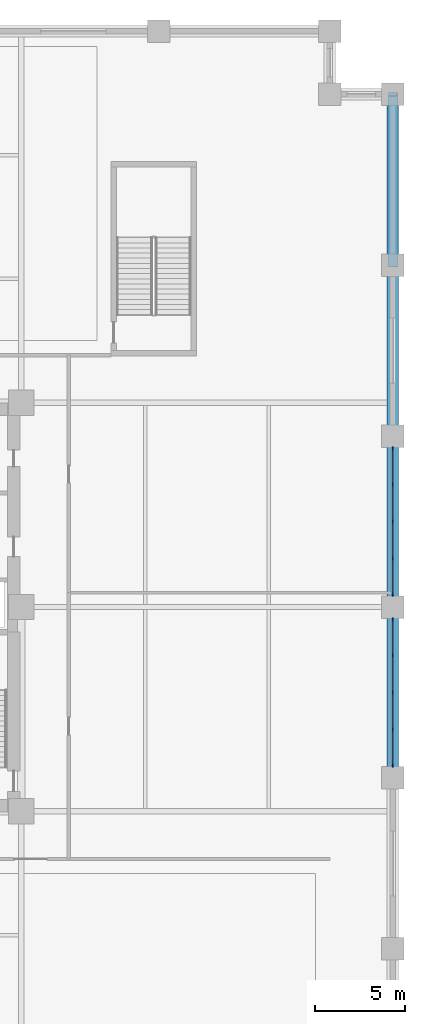
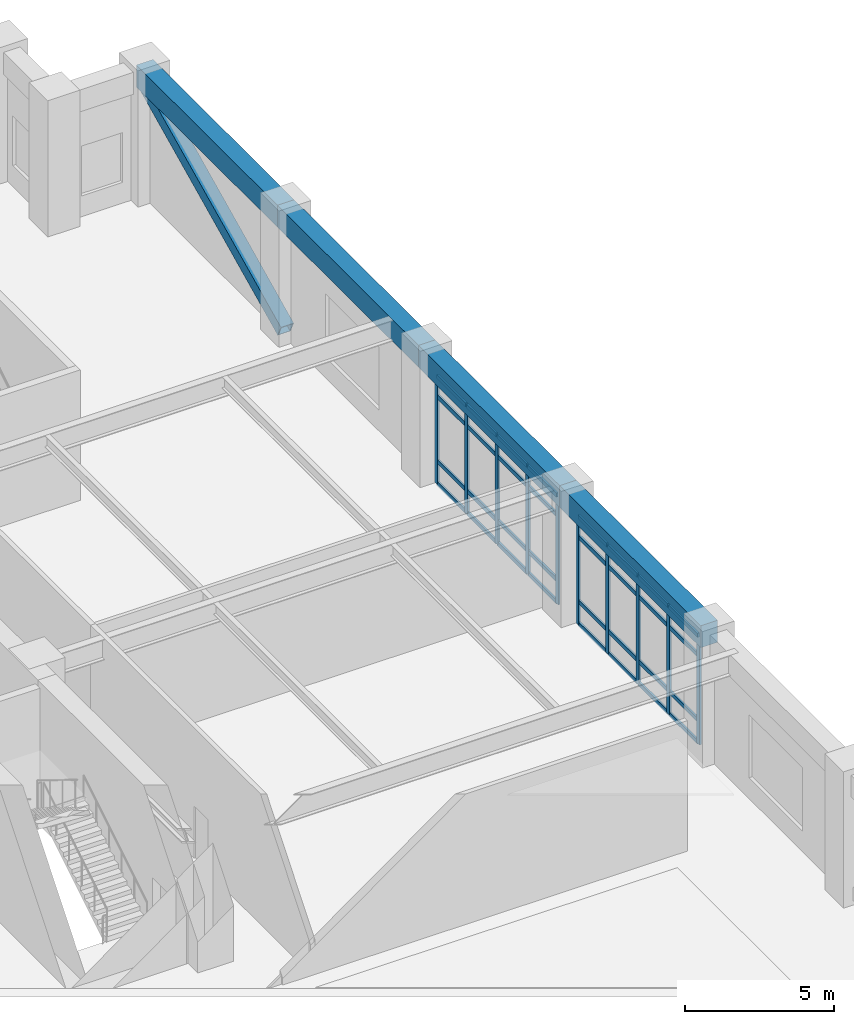
# One storey, part 8 of 21: 43 members, 4 beams, 2 elements without a shape of their own.
"""IFC4 building model written with IfcOpenShell, lengths in metres."""

from ifc_helpers import new_model, si_unit, direction, frame, origin, origin_2d, place, context, subcontext, project, spatial, rectangle, hollow_rectangle, extrude, material, layer, layer_set, material_profile, profile_set, type_object, element, aggregate, save


model = new_model("IFC4")

# Units and contexts
model_context = context("Model", 3, precision=1e-05, world=origin(), true_north=direction((0.0, 1.0)))
body_context = subcontext(model_context, "Body", "Model", "MODEL_VIEW")
ifc_project = project(units=[si_unit("LENGTHUNIT", "METRE"), si_unit("AREAUNIT", "SQUARE_METRE"), si_unit("VOLUMEUNIT", "CUBIC_METRE"), si_unit("PLANEANGLEUNIT", "RADIAN"), si_unit("MASSUNIT", "GRAM", prefix="KILO")], contexts=[model_context])

# Site, building, storey
site_placement = place(None, origin())
site = spatial("IfcSite", under=ifc_project, at=site_placement, CompositionType="ELEMENT")
building_placement = place(site_placement, origin())
building = spatial("IfcBuilding", under=site, at=building_placement, Name="Nhamokura Convention Tower", CompositionType="ELEMENT")
storey_placement = place(building_placement, frame((0.0, 0.0, 12.25)))
storey = spatial("IfcBuildingStorey", under=building, at=storey_placement, Name="L02", CompositionType="ELEMENT", Elevation=12.25)

# Curtain wall, members
ifc_material_1 = material(Name="Anodised bronze aluminium AA6063-T6", Category="aluminium")
ifc_layer = layer(ifc_material_1, 0.199951171875)
ifc_layer_set = layer_set([ifc_layer], Name="CWSystem_ConventionFoyer")
curtain_wall_type = type_object("IfcCurtainWallType", Name="CWSystem_ConventionFoyer", PredefinedType="NOTDEFINED", material=ifc_layer_set)
curtain_wall_1_placement = place(storey_placement, origin())
curtain_wall_1 = element("IfcCurtainWall", 1, at=curtain_wall_1_placement, inside=storey, type_object=curtain_wall_type, Name="L02 Curtain Wall ENV-L02-CW-E2", PredefinedType="NOTDEFINED")
ifc_material_2 = material(Name="Anodised bronze aluminium AA6063-T6", Category="aluminium")
ifc_material_profile_1 = material_profile(ifc_material_2, rectangle(XDim=0.074951171875, YDim=0.199951171875, at=origin_2d()))
ifc_profile_set_1 = profile_set([ifc_material_profile_1], Name="Anodised bronze aluminium AA6063-T6")
member_type_1 = type_object("IfcMemberType", Name="CWMullion_2", PredefinedType="MULLION", material=ifc_profile_set_1)
member_1_placement = place(storey_placement, frame((64.0, 31.3125, 0.0), z_axis=(0.0, 0.0, 1.0), x_axis=(1.0, 0.0, 0.0)))
member_1 = element("IfcMember", 2, at=member_1_placement, type_object=member_type_1, Name="CW-02 mullion 1", PredefinedType="MULLION", context=body_context, shape_type="SweptSolid", body=[
    extrude(rectangle(XDim=0.074951171875, YDim=0.199951171875, at=origin_2d()), origin(), (0.0, 0.0, 1.0), 4.4599609375),
])
member_2_placement = place(storey_placement, frame((64.0, 29.300048828125, 0.0), z_axis=(0.0, 0.0, 1.0), x_axis=(1.0, 0.0, 0.0)))
member_2 = element("IfcMember", 3, at=member_2_placement, type_object=member_type_1, Name="CW-02 mullion 2", PredefinedType="MULLION", context=body_context, shape_type="SweptSolid", body=[
    extrude(rectangle(XDim=0.074951171875, YDim=0.199951171875, at=origin_2d()), origin(), (0.0, 0.0, 1.0), 4.4599609375),
])
member_3_placement = place(storey_placement, frame((64.0, 27.25, 0.0), z_axis=(0.0, 0.0, 1.0), x_axis=(1.0, 0.0, 0.0)))
member_3 = element("IfcMember", 4, at=member_3_placement, type_object=member_type_1, Name="CW-02 mullion 3", PredefinedType="MULLION", context=body_context, shape_type="SweptSolid", body=[
    extrude(rectangle(XDim=0.074951171875, YDim=0.199951171875, at=origin_2d()), origin(), (0.0, 0.0, 1.0), 4.4599609375),
])
member_4_placement = place(storey_placement, frame((64.0, 25.199951171875, 0.0), z_axis=(0.0, 0.0, 1.0), x_axis=(1.0, 0.0, 0.0)))
member_4 = element("IfcMember", 5, at=member_4_placement, type_object=member_type_1, Name="CW-02 mullion 4", PredefinedType="MULLION", context=body_context, shape_type="SweptSolid", body=[
    extrude(rectangle(XDim=0.074951171875, YDim=0.199951171875, at=origin_2d()), origin(), (0.0, 0.0, 1.0), 4.4599609375),
])
member_5_placement = place(storey_placement, frame((64.0, 23.1875, 0.0), z_axis=(0.0, 0.0, 1.0), x_axis=(1.0, 0.0, 0.0)))
member_5 = element("IfcMember", 6, at=member_5_placement, type_object=member_type_1, Name="CW-02 mullion 5", PredefinedType="MULLION", context=body_context, shape_type="SweptSolid", body=[
    extrude(rectangle(XDim=0.074951171875, YDim=0.199951171875, at=origin_2d()), origin(), (0.0, 0.0, 1.0), 4.4599609375),
])

curtain_wall_2_placement = place(storey_placement, origin())
curtain_wall_2 = element("IfcCurtainWall", 7, at=curtain_wall_2_placement, inside=storey, type_object=curtain_wall_type, Name="L02 Curtain Wall ENV-L02-CW-E3", PredefinedType="NOTDEFINED")
member_6_placement = place(storey_placement, frame((64.0, 40.8125, 0.0), z_axis=(0.0, 0.0, 1.0), x_axis=(1.0, 0.0, 0.0)))
member_6 = element("IfcMember", 8, at=member_6_placement, type_object=member_type_1, Name="CW-02 mullion 1", PredefinedType="MULLION", context=body_context, shape_type="SweptSolid", body=[
    extrude(rectangle(XDim=0.074951171875, YDim=0.199951171875, at=origin_2d()), origin(), (0.0, 0.0, 1.0), 4.4599609375),
])
member_7_placement = place(storey_placement, frame((64.0, 38.800048828125, 0.0), z_axis=(0.0, 0.0, 1.0), x_axis=(1.0, 0.0, 0.0)))
member_7 = element("IfcMember", 9, at=member_7_placement, type_object=member_type_1, Name="CW-02 mullion 2", PredefinedType="MULLION", context=body_context, shape_type="SweptSolid", body=[
    extrude(rectangle(XDim=0.074951171875, YDim=0.199951171875, at=origin_2d()), origin(), (0.0, 0.0, 1.0), 4.4599609375),
])
member_8_placement = place(storey_placement, frame((64.0, 36.75, 0.0), z_axis=(0.0, 0.0, 1.0), x_axis=(1.0, 0.0, 0.0)))
member_8 = element("IfcMember", 10, at=member_8_placement, type_object=member_type_1, Name="CW-02 mullion 3", PredefinedType="MULLION", context=body_context, shape_type="SweptSolid", body=[
    extrude(rectangle(XDim=0.074951171875, YDim=0.199951171875, at=origin_2d()), origin(), (0.0, 0.0, 1.0), 4.4599609375),
])
member_9_placement = place(storey_placement, frame((64.0, 34.699951171875, 0.0), z_axis=(0.0, 0.0, 1.0), x_axis=(1.0, 0.0, 0.0)))
member_9 = element("IfcMember", 11, at=member_9_placement, type_object=member_type_1, Name="CW-02 mullion 4", PredefinedType="MULLION", context=body_context, shape_type="SweptSolid", body=[
    extrude(rectangle(XDim=0.074951171875, YDim=0.199951171875, at=origin_2d()), origin(), (0.0, 0.0, 1.0), 4.4599609375),
])
member_10_placement = place(storey_placement, frame((64.0, 32.6875, 0.0), z_axis=(0.0, 0.0, 1.0), x_axis=(1.0, 0.0, 0.0)))
member_10 = element("IfcMember", 12, at=member_10_placement, type_object=member_type_1, Name="CW-02 mullion 5", PredefinedType="MULLION", context=body_context, shape_type="SweptSolid", body=[
    extrude(rectangle(XDim=0.074951171875, YDim=0.199951171875, at=origin_2d()), origin(), (0.0, 0.0, 1.0), 4.4599609375),
])

# Member
ifc_material_3 = material(Name="Anodised bronze aluminium AA6063-T6", Category="aluminium")
ifc_material_profile_2 = material_profile(ifc_material_3, rectangle(XDim=0.074951171875, YDim=0.169921875, at=origin_2d()))
ifc_profile_set_2 = profile_set([ifc_material_profile_2], Name="Anodised bronze aluminium AA6063-T6")
member_type_2 = type_object("IfcMemberType", Name="CWTransom_2", PredefinedType="USERDEFINED", material=ifc_profile_set_2)
member_11_placement = place(storey_placement, frame((64.0, 31.27490234375, 0.03759765625), z_axis=(0.0, -1.0, 0.0), x_axis=(1.0, 0.0, 0.0)))
member_11 = element("IfcMember", 13, at=member_11_placement, type_object=member_type_2, Name="CW-02 transom 1.1", ObjectType="TRANSOM", PredefinedType="USERDEFINED", context=body_context, shape_type="SweptSolid", body=[
    extrude(rectangle(XDim=0.074951171875, YDim=0.169921875, at=origin_2d()), origin(), (0.0, 0.0, 1.0), 1.9375),
])

member_12_placement = place(storey_placement, frame((64.0, 31.27490234375, 0.949951171875), z_axis=(0.0, -1.0, 0.0), x_axis=(1.0, 0.0, 0.0)))
member_12 = element("IfcMember", 14, at=member_12_placement, type_object=member_type_2, Name="CW-02 transom 1.2", ObjectType="TRANSOM", PredefinedType="USERDEFINED", context=body_context, shape_type="SweptSolid", body=[
    extrude(rectangle(XDim=0.074951171875, YDim=0.169921875, at=origin_2d()), origin(), (0.0, 0.0, 1.0), 1.9375),
])

member_13_placement = place(storey_placement, frame((64.0, 31.27490234375, 3.610107421875), z_axis=(0.0, -1.0, 0.0), x_axis=(1.0, 0.0, 0.0)))
member_13 = element("IfcMember", 15, at=member_13_placement, type_object=member_type_2, Name="CW-02 transom 1.3", ObjectType="TRANSOM", PredefinedType="USERDEFINED", context=body_context, shape_type="SweptSolid", body=[
    extrude(rectangle(XDim=0.074951171875, YDim=0.169921875, at=origin_2d()), origin(), (0.0, 0.0, 1.0), 1.9375),
])

member_14_placement = place(storey_placement, frame((64.0, 31.27490234375, 4.422607421875), z_axis=(0.0, -1.0, 0.0), x_axis=(1.0, 0.0, 0.0)))
member_14 = element("IfcMember", 16, at=member_14_placement, type_object=member_type_2, Name="CW-02 transom 1.4", ObjectType="TRANSOM", PredefinedType="USERDEFINED", context=body_context, shape_type="SweptSolid", body=[
    extrude(rectangle(XDim=0.074951171875, YDim=0.169921875, at=origin_2d()), origin(), (0.0, 0.0, 1.0), 1.9375),
])

member_15_placement = place(storey_placement, frame((64.0, 29.262451171875, 0.03759765625), z_axis=(0.0, -1.0, 0.0), x_axis=(1.0, 0.0, 0.0)))
member_15 = element("IfcMember", 17, at=member_15_placement, type_object=member_type_2, Name="CW-02 transom 2.1", ObjectType="TRANSOM", PredefinedType="USERDEFINED", context=body_context, shape_type="SweptSolid", body=[
    extrude(rectangle(XDim=0.074951171875, YDim=0.169921875, at=origin_2d()), origin(), (0.0, 0.0, 1.0), 1.974853515625),
])

member_16_placement = place(storey_placement, frame((64.0, 29.262451171875, 0.949951171875), z_axis=(0.0, -1.0, 0.0), x_axis=(1.0, 0.0, 0.0)))
member_16 = element("IfcMember", 18, at=member_16_placement, type_object=member_type_2, Name="CW-02 transom 2.2", ObjectType="TRANSOM", PredefinedType="USERDEFINED", context=body_context, shape_type="SweptSolid", body=[
    extrude(rectangle(XDim=0.074951171875, YDim=0.169921875, at=origin_2d()), origin(), (0.0, 0.0, 1.0), 1.974853515625),
])

member_17_placement = place(storey_placement, frame((64.0, 29.262451171875, 3.610107421875), z_axis=(0.0, -1.0, 0.0), x_axis=(1.0, 0.0, 0.0)))
member_17 = element("IfcMember", 19, at=member_17_placement, type_object=member_type_2, Name="CW-02 transom 2.3", ObjectType="TRANSOM", PredefinedType="USERDEFINED", context=body_context, shape_type="SweptSolid", body=[
    extrude(rectangle(XDim=0.074951171875, YDim=0.169921875, at=origin_2d()), origin(), (0.0, 0.0, 1.0), 1.974853515625),
])

member_18_placement = place(storey_placement, frame((64.0, 29.262451171875, 4.422607421875), z_axis=(0.0, -1.0, 0.0), x_axis=(1.0, 0.0, 0.0)))
member_18 = element("IfcMember", 20, at=member_18_placement, type_object=member_type_2, Name="CW-02 transom 2.4", ObjectType="TRANSOM", PredefinedType="USERDEFINED", context=body_context, shape_type="SweptSolid", body=[
    extrude(rectangle(XDim=0.074951171875, YDim=0.169921875, at=origin_2d()), origin(), (0.0, 0.0, 1.0), 1.974853515625),
])

member_19_placement = place(storey_placement, frame((64.0, 27.21240234375, 0.03759765625), z_axis=(0.0, -1.0, 0.0), x_axis=(1.0, 0.0, 0.0)))
member_19 = element("IfcMember", 21, at=member_19_placement, type_object=member_type_2, Name="CW-02 transom 3.1", ObjectType="TRANSOM", PredefinedType="USERDEFINED", context=body_context, shape_type="SweptSolid", body=[
    extrude(rectangle(XDim=0.074951171875, YDim=0.169921875, at=origin_2d()), origin(), (0.0, 0.0, 1.0), 1.974853515625),
])

member_20_placement = place(storey_placement, frame((64.0, 27.21240234375, 0.949951171875), z_axis=(0.0, -1.0, 0.0), x_axis=(1.0, 0.0, 0.0)))
member_20 = element("IfcMember", 22, at=member_20_placement, type_object=member_type_2, Name="CW-02 transom 3.2", ObjectType="TRANSOM", PredefinedType="USERDEFINED", context=body_context, shape_type="SweptSolid", body=[
    extrude(rectangle(XDim=0.074951171875, YDim=0.169921875, at=origin_2d()), origin(), (0.0, 0.0, 1.0), 1.974853515625),
])

member_21_placement = place(storey_placement, frame((64.0, 27.21240234375, 3.610107421875), z_axis=(0.0, -1.0, 0.0), x_axis=(1.0, 0.0, 0.0)))
member_21 = element("IfcMember", 23, at=member_21_placement, type_object=member_type_2, Name="CW-02 transom 3.3", ObjectType="TRANSOM", PredefinedType="USERDEFINED", context=body_context, shape_type="SweptSolid", body=[
    extrude(rectangle(XDim=0.074951171875, YDim=0.169921875, at=origin_2d()), origin(), (0.0, 0.0, 1.0), 1.974853515625),
])

member_22_placement = place(storey_placement, frame((64.0, 27.21240234375, 4.422607421875), z_axis=(0.0, -1.0, 0.0), x_axis=(1.0, 0.0, 0.0)))
member_22 = element("IfcMember", 24, at=member_22_placement, type_object=member_type_2, Name="CW-02 transom 3.4", ObjectType="TRANSOM", PredefinedType="USERDEFINED", context=body_context, shape_type="SweptSolid", body=[
    extrude(rectangle(XDim=0.074951171875, YDim=0.169921875, at=origin_2d()), origin(), (0.0, 0.0, 1.0), 1.974853515625),
])

member_23_placement = place(storey_placement, frame((64.0, 25.16259765625, 0.03759765625), z_axis=(0.0, -1.0, 0.0), x_axis=(1.0, 0.0, 0.0)))
member_23 = element("IfcMember", 25, at=member_23_placement, type_object=member_type_2, Name="CW-02 transom 4.1", ObjectType="TRANSOM", PredefinedType="USERDEFINED", context=body_context, shape_type="SweptSolid", body=[
    extrude(rectangle(XDim=0.074951171875, YDim=0.169921875, at=origin_2d()), origin(), (0.0, 0.0, 1.0), 1.9375),
])

member_24_placement = place(storey_placement, frame((64.0, 25.16259765625, 0.949951171875), z_axis=(0.0, -1.0, 0.0), x_axis=(1.0, 0.0, 0.0)))
member_24 = element("IfcMember", 26, at=member_24_placement, type_object=member_type_2, Name="CW-02 transom 4.2", ObjectType="TRANSOM", PredefinedType="USERDEFINED", context=body_context, shape_type="SweptSolid", body=[
    extrude(rectangle(XDim=0.074951171875, YDim=0.169921875, at=origin_2d()), origin(), (0.0, 0.0, 1.0), 1.9375),
])

member_25_placement = place(storey_placement, frame((64.0, 25.16259765625, 3.610107421875), z_axis=(0.0, -1.0, 0.0), x_axis=(1.0, 0.0, 0.0)))
member_25 = element("IfcMember", 27, at=member_25_placement, type_object=member_type_2, Name="CW-02 transom 4.3", ObjectType="TRANSOM", PredefinedType="USERDEFINED", context=body_context, shape_type="SweptSolid", body=[
    extrude(rectangle(XDim=0.074951171875, YDim=0.169921875, at=origin_2d()), origin(), (0.0, 0.0, 1.0), 1.9375),
])

member_26_placement = place(storey_placement, frame((64.0, 25.16259765625, 4.422607421875), z_axis=(0.0, -1.0, 0.0), x_axis=(1.0, 0.0, 0.0)))
member_26 = element("IfcMember", 28, at=member_26_placement, type_object=member_type_2, Name="CW-02 transom 4.4", ObjectType="TRANSOM", PredefinedType="USERDEFINED", context=body_context, shape_type="SweptSolid", body=[
    extrude(rectangle(XDim=0.074951171875, YDim=0.169921875, at=origin_2d()), origin(), (0.0, 0.0, 1.0), 1.9375),
])

aggregate(curtain_wall_1, [member_1, member_2, member_3, member_4, member_5, member_11, member_12, member_13, member_14, member_15, member_16, member_17, member_18, member_19, member_20, member_21, member_22, member_23, member_24, member_25, member_26])

member_27_placement = place(storey_placement, frame((64.0, 40.77490234375, 0.03759765625), z_axis=(0.0, -1.0, 0.0), x_axis=(1.0, 0.0, 0.0)))
member_27 = element("IfcMember", 29, at=member_27_placement, type_object=member_type_2, Name="CW-02 transom 1.1", ObjectType="TRANSOM", PredefinedType="USERDEFINED", context=body_context, shape_type="SweptSolid", body=[
    extrude(rectangle(XDim=0.074951171875, YDim=0.169921875, at=origin_2d()), origin(), (0.0, 0.0, 1.0), 1.9375),
])

member_28_placement = place(storey_placement, frame((64.0, 40.77490234375, 0.949951171875), z_axis=(0.0, -1.0, 0.0), x_axis=(1.0, 0.0, 0.0)))
member_28 = element("IfcMember", 30, at=member_28_placement, type_object=member_type_2, Name="CW-02 transom 1.2", ObjectType="TRANSOM", PredefinedType="USERDEFINED", context=body_context, shape_type="SweptSolid", body=[
    extrude(rectangle(XDim=0.074951171875, YDim=0.169921875, at=origin_2d()), origin(), (0.0, 0.0, 1.0), 1.9375),
])

member_29_placement = place(storey_placement, frame((64.0, 40.77490234375, 3.610107421875), z_axis=(0.0, -1.0, 0.0), x_axis=(1.0, 0.0, 0.0)))
member_29 = element("IfcMember", 31, at=member_29_placement, type_object=member_type_2, Name="CW-02 transom 1.3", ObjectType="TRANSOM", PredefinedType="USERDEFINED", context=body_context, shape_type="SweptSolid", body=[
    extrude(rectangle(XDim=0.074951171875, YDim=0.169921875, at=origin_2d()), origin(), (0.0, 0.0, 1.0), 1.9375),
])

member_30_placement = place(storey_placement, frame((64.0, 40.77490234375, 4.422607421875), z_axis=(0.0, -1.0, 0.0), x_axis=(1.0, 0.0, 0.0)))
member_30 = element("IfcMember", 32, at=member_30_placement, type_object=member_type_2, Name="CW-02 transom 1.4", ObjectType="TRANSOM", PredefinedType="USERDEFINED", context=body_context, shape_type="SweptSolid", body=[
    extrude(rectangle(XDim=0.074951171875, YDim=0.169921875, at=origin_2d()), origin(), (0.0, 0.0, 1.0), 1.9375),
])

member_31_placement = place(storey_placement, frame((64.0, 38.762451171875, 0.03759765625), z_axis=(0.0, -1.0, 0.0), x_axis=(1.0, 0.0, 0.0)))
member_31 = element("IfcMember", 33, at=member_31_placement, type_object=member_type_2, Name="CW-02 transom 2.1", ObjectType="TRANSOM", PredefinedType="USERDEFINED", context=body_context, shape_type="SweptSolid", body=[
    extrude(rectangle(XDim=0.074951171875, YDim=0.169921875, at=origin_2d()), origin(), (0.0, 0.0, 1.0), 1.974853515625),
])

member_32_placement = place(storey_placement, frame((64.0, 38.762451171875, 0.949951171875), z_axis=(0.0, -1.0, 0.0), x_axis=(1.0, 0.0, 0.0)))
member_32 = element("IfcMember", 34, at=member_32_placement, type_object=member_type_2, Name="CW-02 transom 2.2", ObjectType="TRANSOM", PredefinedType="USERDEFINED", context=body_context, shape_type="SweptSolid", body=[
    extrude(rectangle(XDim=0.074951171875, YDim=0.169921875, at=origin_2d()), origin(), (0.0, 0.0, 1.0), 1.974853515625),
])

member_33_placement = place(storey_placement, frame((64.0, 38.762451171875, 3.610107421875), z_axis=(0.0, -1.0, 0.0), x_axis=(1.0, 0.0, 0.0)))
member_33 = element("IfcMember", 35, at=member_33_placement, type_object=member_type_2, Name="CW-02 transom 2.3", ObjectType="TRANSOM", PredefinedType="USERDEFINED", context=body_context, shape_type="SweptSolid", body=[
    extrude(rectangle(XDim=0.074951171875, YDim=0.169921875, at=origin_2d()), origin(), (0.0, 0.0, 1.0), 1.974853515625),
])

member_34_placement = place(storey_placement, frame((64.0, 38.762451171875, 4.422607421875), z_axis=(0.0, -1.0, 0.0), x_axis=(1.0, 0.0, 0.0)))
member_34 = element("IfcMember", 36, at=member_34_placement, type_object=member_type_2, Name="CW-02 transom 2.4", ObjectType="TRANSOM", PredefinedType="USERDEFINED", context=body_context, shape_type="SweptSolid", body=[
    extrude(rectangle(XDim=0.074951171875, YDim=0.169921875, at=origin_2d()), origin(), (0.0, 0.0, 1.0), 1.974853515625),
])

member_35_placement = place(storey_placement, frame((64.0, 36.71240234375, 0.03759765625), z_axis=(0.0, -1.0, 0.0), x_axis=(1.0, 0.0, 0.0)))
member_35 = element("IfcMember", 37, at=member_35_placement, type_object=member_type_2, Name="CW-02 transom 3.1", ObjectType="TRANSOM", PredefinedType="USERDEFINED", context=body_context, shape_type="SweptSolid", body=[
    extrude(rectangle(XDim=0.074951171875, YDim=0.169921875, at=origin_2d()), origin(), (0.0, 0.0, 1.0), 1.974853515625),
])

member_36_placement = place(storey_placement, frame((64.0, 36.71240234375, 0.949951171875), z_axis=(0.0, -1.0, 0.0), x_axis=(1.0, 0.0, 0.0)))
member_36 = element("IfcMember", 38, at=member_36_placement, type_object=member_type_2, Name="CW-02 transom 3.2", ObjectType="TRANSOM", PredefinedType="USERDEFINED", context=body_context, shape_type="SweptSolid", body=[
    extrude(rectangle(XDim=0.074951171875, YDim=0.169921875, at=origin_2d()), origin(), (0.0, 0.0, 1.0), 1.974853515625),
])

member_37_placement = place(storey_placement, frame((64.0, 36.71240234375, 3.610107421875), z_axis=(0.0, -1.0, 0.0), x_axis=(1.0, 0.0, 0.0)))
member_37 = element("IfcMember", 39, at=member_37_placement, type_object=member_type_2, Name="CW-02 transom 3.3", ObjectType="TRANSOM", PredefinedType="USERDEFINED", context=body_context, shape_type="SweptSolid", body=[
    extrude(rectangle(XDim=0.074951171875, YDim=0.169921875, at=origin_2d()), origin(), (0.0, 0.0, 1.0), 1.974853515625),
])

member_38_placement = place(storey_placement, frame((64.0, 36.71240234375, 4.422607421875), z_axis=(0.0, -1.0, 0.0), x_axis=(1.0, 0.0, 0.0)))
member_38 = element("IfcMember", 40, at=member_38_placement, type_object=member_type_2, Name="CW-02 transom 3.4", ObjectType="TRANSOM", PredefinedType="USERDEFINED", context=body_context, shape_type="SweptSolid", body=[
    extrude(rectangle(XDim=0.074951171875, YDim=0.169921875, at=origin_2d()), origin(), (0.0, 0.0, 1.0), 1.974853515625),
])

member_39_placement = place(storey_placement, frame((64.0, 34.66259765625, 0.03759765625), z_axis=(0.0, -1.0, 0.0), x_axis=(1.0, 0.0, 0.0)))
member_39 = element("IfcMember", 41, at=member_39_placement, type_object=member_type_2, Name="CW-02 transom 4.1", ObjectType="TRANSOM", PredefinedType="USERDEFINED", context=body_context, shape_type="SweptSolid", body=[
    extrude(rectangle(XDim=0.074951171875, YDim=0.169921875, at=origin_2d()), origin(), (0.0, 0.0, 1.0), 1.9375),
])

member_40_placement = place(storey_placement, frame((64.0, 34.66259765625, 0.949951171875), z_axis=(0.0, -1.0, 0.0), x_axis=(1.0, 0.0, 0.0)))
member_40 = element("IfcMember", 42, at=member_40_placement, type_object=member_type_2, Name="CW-02 transom 4.2", ObjectType="TRANSOM", PredefinedType="USERDEFINED", context=body_context, shape_type="SweptSolid", body=[
    extrude(rectangle(XDim=0.074951171875, YDim=0.169921875, at=origin_2d()), origin(), (0.0, 0.0, 1.0), 1.9375),
])

member_41_placement = place(storey_placement, frame((64.0, 34.66259765625, 3.610107421875), z_axis=(0.0, -1.0, 0.0), x_axis=(1.0, 0.0, 0.0)))
member_41 = element("IfcMember", 43, at=member_41_placement, type_object=member_type_2, Name="CW-02 transom 4.3", ObjectType="TRANSOM", PredefinedType="USERDEFINED", context=body_context, shape_type="SweptSolid", body=[
    extrude(rectangle(XDim=0.074951171875, YDim=0.169921875, at=origin_2d()), origin(), (0.0, 0.0, 1.0), 1.9375),
])

member_42_placement = place(storey_placement, frame((64.0, 34.66259765625, 4.422607421875), z_axis=(0.0, -1.0, 0.0), x_axis=(1.0, 0.0, 0.0)))
member_42 = element("IfcMember", 44, at=member_42_placement, type_object=member_type_2, Name="CW-02 transom 4.4", ObjectType="TRANSOM", PredefinedType="USERDEFINED", context=body_context, shape_type="SweptSolid", body=[
    extrude(rectangle(XDim=0.074951171875, YDim=0.169921875, at=origin_2d()), origin(), (0.0, 0.0, 1.0), 1.9375),
])

aggregate(curtain_wall_2, [member_6, member_7, member_8, member_9, member_10, member_27, member_28, member_29, member_30, member_31, member_32, member_33, member_34, member_35, member_36, member_37, member_38, member_39, member_40, member_41, member_42])

ifc_material_4 = material(Name="Steel ASTM A572 Gr 50", Category="steel")
ifc_material_profile_3 = material_profile(ifc_material_4, hollow_rectangle(XDim=0.5, YDim=0.5, WallThickness=0.02490234375, at=origin_2d()))
ifc_profile_set_3 = profile_set([ifc_material_profile_3], Name="Steel ASTM A572 Gr 50")
member_type_3 = type_object("IfcMemberType", Name="TubeBrace_HSS500", PredefinedType="BRACE", material=ifc_profile_set_3)
member_43_placement = place(storey_placement, frame((64.0, 51.0, 0.14990234375), z_axis=(0.0, 0.901520888263, 0.432735586734), x_axis=(-1.0, 0.0, 0.0)))
element("IfcMember", 45, at=member_43_placement, inside=storey, type_object=member_type_3, Name="L02 Perimeter Tube Brace EAST Bay 5", PredefinedType="BRACE", context=body_context, shape_type="SweptSolid", body=[
    extrude(hollow_rectangle(XDim=0.5, YDim=0.5, WallThickness=0.02490234375, at=origin_2d()), origin(), (0.0, 0.0, 1.0), 10.537841796875),
])

# Beams
ifc_material_5 = material(Name="Concrete C60/75", Category="concrete")
ifc_material_profile_4 = material_profile(ifc_material_5, rectangle(XDim=0.64990234375, YDim=0.89990234375, at=origin_2d()))
ifc_profile_set_4 = profile_set([ifc_material_profile_4], Name="Concrete C60/75")
beam_type = type_object("IfcBeamType", Name="TubeSpandrel_900", PredefinedType="SPANDREL", material=ifc_profile_set_4)
for number, where, z_axis, x_axis, name in (
    (46, (64.0, 22.5, 4.909912109375), (0.0, 1.0, 0.0), (-1.0, 0.0, 0.0), "L02 Perimeter Spandrel EAST 3"),
    (47, (64.0, 32.0, 4.909912109375), (0.0, 1.0, 0.0), (-1.0, 0.0, 0.0), "L02 Perimeter Spandrel EAST 4"),
    (48, (64.0, 41.5, 4.909912109375), (0.0, 1.0, 0.0), (-1.0, 0.0, 0.0), "L02 Perimeter Spandrel EAST 5"),
    (49, (64.0, 51.0, 4.909912109375), (0.0, 1.0, 0.0), (-1.0, 0.0, 0.0), "L02 Perimeter Spandrel EAST 6"),
):
    element("IfcBeam", number, at=place(storey_placement, frame(where, z_axis=z_axis, x_axis=x_axis)), inside=storey, type_object=beam_type, Name=name, PredefinedType="SPANDREL", context=body_context, shape_type="SweptSolid", body=[
        extrude(rectangle(XDim=0.64990234375, YDim=0.89990234375, at=origin_2d()), origin(), (0.0, 0.0, 1.0), 9.5),
    ])

save(model, "model.ifc")
